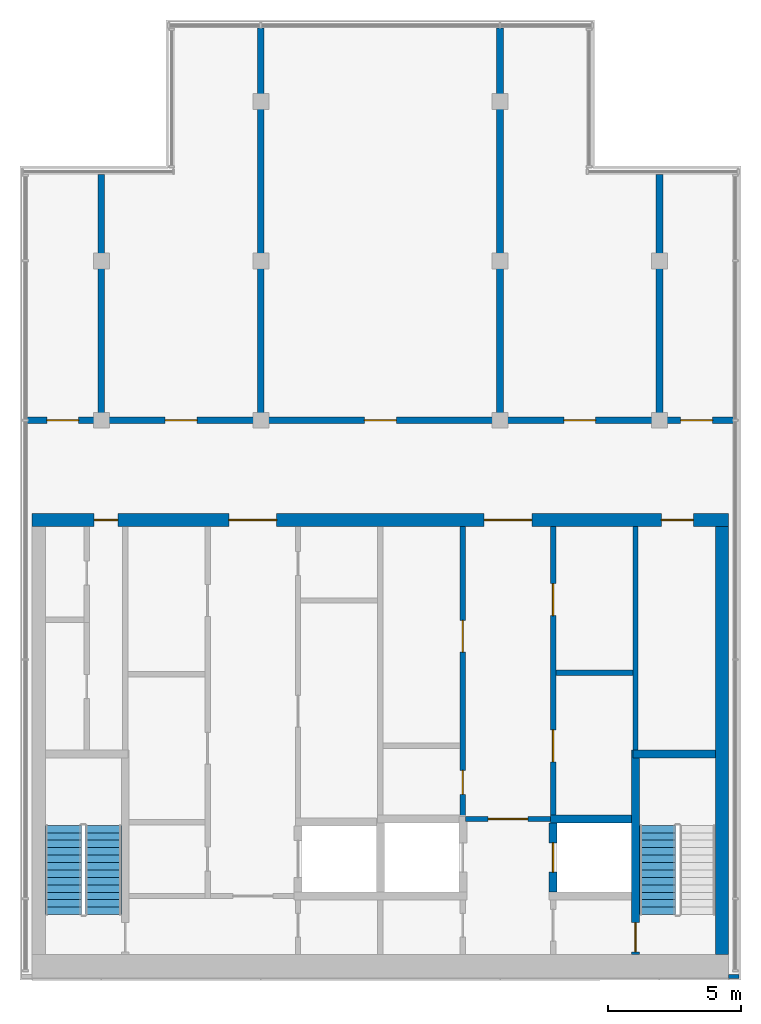
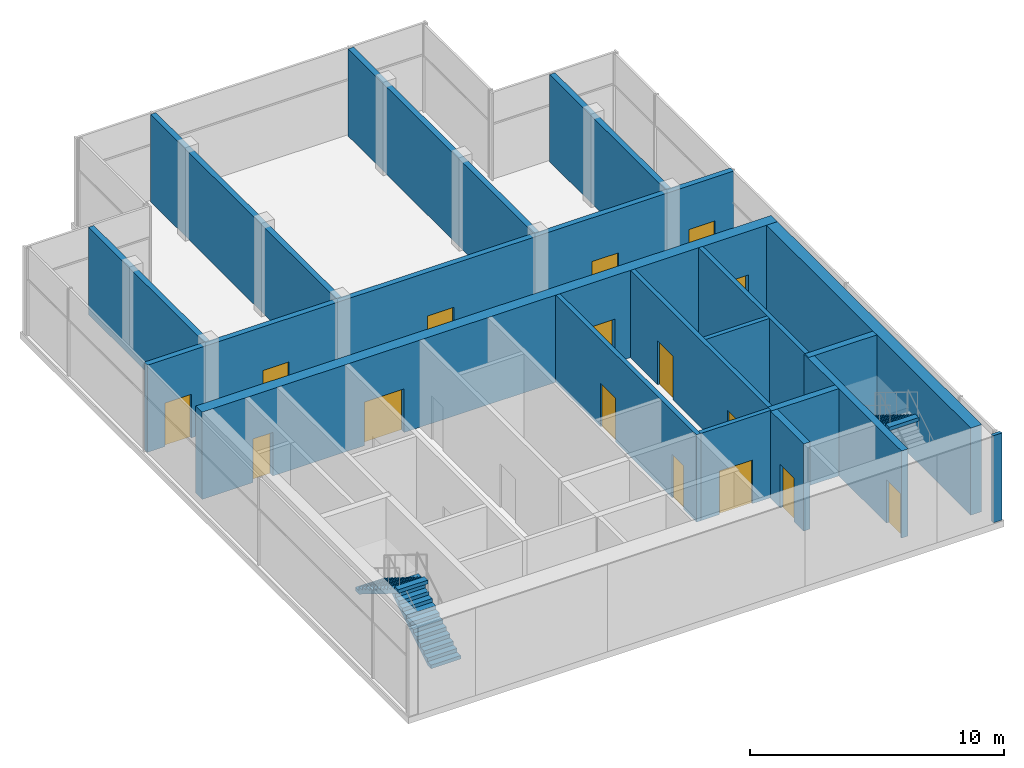
# One storey, part 3 of 5: 17 walls, 16 doors, 3 stair flights, 16 openings, 2 elements without a shape of their own.
"""IFC4 building model written with IfcOpenShell, lengths in metres."""

from ifc_helpers import new_model, si_unit, direction, frame, frame_2d, origin, place, context, subcontext, project, spatial, polyline, rectangle, outline, extrude, material, layer, layer_set, type_object, element, fill, aggregate, save


model = new_model("IFC4")

# Units and contexts
model_context = context("Model", 3, precision=1e-05, world=origin(), true_north=direction((0.0, 1.0)))
body_context = subcontext(model_context, "Body", "Model", "MODEL_VIEW")
ifc_project = project(units=[si_unit("LENGTHUNIT", "METRE"), si_unit("AREAUNIT", "SQUARE_METRE"), si_unit("VOLUMEUNIT", "CUBIC_METRE"), si_unit("PLANEANGLEUNIT", "RADIAN"), si_unit("MASSUNIT", "GRAM", prefix="KILO")], contexts=[model_context])

# Site, building, storey
site_placement = place(None, origin())
site = spatial("IfcSite", under=ifc_project, at=site_placement, CompositionType="ELEMENT")
building_placement = place(site_placement, origin())
building = spatial("IfcBuilding", under=site, at=building_placement, Name="Finial Court Residences", CompositionType="ELEMENT")
storey_placement = place(building_placement, frame((0.0, 0.0, 316.699951171875)))
storey = spatial("IfcBuildingStorey", under=building, at=storey_placement, Name="L80", CompositionType="ELEMENT", Elevation=316.699951171875)

# Wall, openings, doors
ifc_material_1 = material(Name="Concrete C50/60", Category="concrete")
ifc_layer_1 = layer(ifc_material_1, 0.5)
ifc_layer_set_1 = layer_set([ifc_layer_1], Name="Core outer wall 500 Concrete C50/60")
wall_type_1 = type_object("IfcWallType", Name="Core outer wall 500 Concrete C50/60", PredefinedType="SHEAR", material=ifc_layer_set_1)
wall_1_placement = place(storey_placement, frame((-13.10009765625, -8.25, 0.0), z_axis=(0.0, 0.0, 1.0), x_axis=(1.0, 0.0, 0.0)))
wall_1 = element("IfcWall", 1, at=wall_1_placement, inside=storey, type_object=wall_type_1, Name="Core outer wall L80-02", PredefinedType="SHEAR", context=body_context, shape_type="SweptSolid", body=[
    extrude(rectangle(XDim=26.2001953125, YDim=0.5, at=frame_2d((13.10009765625, 0.0))), origin(), (0.0, 0.0, 1.0), 4.199951171875),
])
opening_1_placement = place(wall_1_placement, frame((7.39990234375, 0.0, 0.0)))
opening_1 = element("IfcOpeningElement", 2, at=opening_1_placement, cuts=wall_1, Name="Opening L80-C03", PredefinedType="OPENING", context=body_context, shape_type="SweptSolid", body=[
    extrude(rectangle(XDim=1.800048828125, YDim=2.10009765625, at=frame_2d((0.89990234375, 1.050048828125))), frame((0.0, 0.260009765625, 0.0), z_axis=(0.0, -1.0, 0.0), x_axis=(1.0, 0.0, 0.0)), (0.0, 0.0, 1.0), 0.52001953125),
])
opening_2_placement = place(wall_1_placement, frame((17.0, 0.0, 0.0)))
opening_2 = element("IfcOpeningElement", 3, at=opening_2_placement, cuts=wall_1, Name="Opening L80-C04", PredefinedType="OPENING", context=body_context, shape_type="SweptSolid", body=[
    extrude(rectangle(XDim=1.800048828125, YDim=2.10009765625, at=frame_2d((0.89990234375, 1.050048828125))), frame((0.0, 0.260009765625, 0.0), z_axis=(0.0, -1.0, 0.0), x_axis=(1.0, 0.0, 0.0)), (0.0, 0.0, 1.0), 0.52001953125),
])
opening_3_placement = place(wall_1_placement, frame((2.324951171875, 0.0, 0.0)))
opening_3 = element("IfcOpeningElement", 4, at=opening_3_placement, cuts=wall_1, Name="Opening L80-C16", PredefinedType="OPENING", context=body_context, shape_type="SweptSolid", body=[
    extrude(rectangle(XDim=0.89990234375, YDim=2.10009765625, at=frame_2d((0.449951171875, 1.050048828125))), frame((0.0, 0.260009765625, 0.0), z_axis=(0.0, -1.0, 0.0), x_axis=(1.0, 0.0, 0.0)), (0.0, 0.0, 1.0), 0.52001953125),
])
opening_4_placement = place(wall_1_placement, frame((23.675048828125, 0.0, 0.0)))
opening_4 = element("IfcOpeningElement", 5, at=opening_4_placement, cuts=wall_1, Name="Opening L80-C17", PredefinedType="OPENING", context=body_context, shape_type="SweptSolid", body=[
    extrude(rectangle(XDim=1.199951171875, YDim=2.10009765625, at=frame_2d((0.60009765625, 1.050048828125))), frame((0.0, 0.260009765625, 0.0), z_axis=(0.0, -1.0, 0.0), x_axis=(1.0, 0.0, 0.0)), (0.0, 0.0, 1.0), 0.52001953125),
])
ifc_material_2 = material(Name="Steel fire door", Category="steel")
door_type_1 = type_object("IfcDoorType", Name="Lift lobby door 1800 x 2100 EI 60", OperationType="DOUBLE_DOOR_SINGLE_SWING", PredefinedType="DOOR", material=ifc_material_2)
door_1_placement = place(opening_1_placement, origin())
door_1 = element("IfcDoor", 6, at=door_1_placement, inside=storey, type_object=door_type_1, Name="Lift lobby door L80-C03", OperationType="DOUBLE_DOOR_SINGLE_SWING", OverallHeight=2.10009765625, OverallWidth=1.800048828125, PredefinedType="DOOR", context=body_context, shape_type="SweptSolid", body=[
    extrude(rectangle(XDim=1.800048828125, YDim=2.10009765625, at=frame_2d((0.89990234375, 1.050048828125))), frame((0.0, 0.02490234375, 0.0), z_axis=(0.0, -1.0, 0.0), x_axis=(1.0, 0.0, 0.0)), (0.0, 0.0, 1.0), 0.050048828125),
])
fill(opening_1, door_1)
door_2_placement = place(opening_2_placement, origin())
door_2 = element("IfcDoor", 7, at=door_2_placement, inside=storey, type_object=door_type_1, Name="Lift lobby door L80-C04", OperationType="DOUBLE_DOOR_SINGLE_SWING", OverallHeight=2.10009765625, OverallWidth=1.800048828125, PredefinedType="DOOR", context=body_context, shape_type="SweptSolid", body=[
    extrude(rectangle(XDim=1.800048828125, YDim=2.10009765625, at=frame_2d((0.89990234375, 1.050048828125))), frame((0.0, 0.02490234375, 0.0), z_axis=(0.0, -1.0, 0.0), x_axis=(1.0, 0.0, 0.0)), (0.0, 0.0, 1.0), 0.050048828125),
])
fill(opening_2, door_2)
door_type_2 = type_object("IfcDoorType", Name="Riser room door 1200 x 2100 EI 90", OperationType="NOTDEFINED", PredefinedType="DOOR", material=ifc_material_2)
door_3_placement = place(opening_4_placement, origin())
door_3 = element("IfcDoor", 8, at=door_3_placement, inside=storey, type_object=door_type_2, Name="Riser room door L80-C17", OperationType="SINGLE_SWING_RIGHT", OverallHeight=2.10009765625, OverallWidth=1.199951171875, PredefinedType="DOOR", context=body_context, shape_type="SweptSolid", body=[
    extrude(rectangle(XDim=1.199951171875, YDim=2.10009765625, at=frame_2d((0.60009765625, 1.050048828125))), frame((0.0, 0.02490234375, 0.0), z_axis=(0.0, -1.0, 0.0), x_axis=(1.0, 0.0, 0.0)), (0.0, 0.0, 1.0), 0.050048828125),
])
fill(opening_4, door_3)
door_type_3 = type_object("IfcDoorType", Name="Riser room door 900 x 2100 EI 90", OperationType="NOTDEFINED", PredefinedType="DOOR", material=ifc_material_2)
door_4_placement = place(opening_3_placement, origin())
door_4 = element("IfcDoor", 9, at=door_4_placement, inside=storey, type_object=door_type_3, Name="Riser room door L80-C16", OperationType="SINGLE_SWING_RIGHT", OverallHeight=2.10009765625, OverallWidth=0.89990234375, PredefinedType="DOOR", context=body_context, shape_type="SweptSolid", body=[
    extrude(rectangle(XDim=0.89990234375, YDim=2.10009765625, at=frame_2d((0.449951171875, 1.050048828125))), frame((0.0, 0.02490234375, 0.0), z_axis=(0.0, -1.0, 0.0), x_axis=(1.0, 0.0, 0.0)), (0.0, 0.0, 1.0), 0.050048828125),
])
fill(opening_3, door_4)

# Wall
wall_2_placement = place(storey_placement, frame((12.85009765625, -24.60009765625, 0.0), z_axis=(0.0, 0.0, 1.0), x_axis=(0.0, 1.0, 0.0)))
element("IfcWall", 10, at=wall_2_placement, inside=storey, type_object=wall_type_1, Name="Core outer wall L80-04", PredefinedType="SHEAR", context=body_context, shape_type="SweptSolid", body=[
    extrude(rectangle(XDim=16.10009765625, YDim=0.5, at=frame_2d((8.050048828125, 0.0))), origin(), (0.0, 0.0, 1.0), 4.199951171875),
])

# Wall, opening, door
ifc_material_3 = material(Name="Fire-rated gypsum board partition")
ifc_layer_2 = layer(ifc_material_3, 0.199951171875)
ifc_layer_set_2 = layer_set([ifc_layer_2], Name="Firefighting lobby wall 200 EI 120")
wall_type_2 = type_object("IfcWallType", Name="Firefighting lobby wall 200 EI 120", PredefinedType="PARTITIONING", material=ifc_layer_set_2)
wall_3_placement = place(storey_placement, frame((6.39990234375, -19.5, 0.0), z_axis=(0.0, 0.0, 1.0), x_axis=(-1.0, 0.0, 0.0)))
wall_3 = element("IfcWall", 11, at=wall_3_placement, inside=storey, type_object=wall_type_2, Name="Core partition L80-08", PredefinedType="PARTITIONING", context=body_context, shape_type="SweptSolid", body=[
    extrude(rectangle(XDim=3.199951171875, YDim=0.199951171875, at=frame_2d((1.60009765625, 0.0))), origin(), (0.0, 0.0, 1.0), 4.199951171875),
])
opening_5_placement = place(wall_3_placement, frame((0.85009765625, 0.0, 0.0)))
opening_5 = element("IfcOpeningElement", 12, at=opening_5_placement, cuts=wall_3, Name="Opening L80-C02", PredefinedType="OPENING", context=body_context, shape_type="SweptSolid", body=[
    extrude(rectangle(XDim=1.5, YDim=2.10009765625, at=frame_2d((0.75, 1.050048828125))), frame((0.0, 0.10986328125, 0.0), z_axis=(0.0, -1.0, 0.0), x_axis=(1.0, 0.0, 0.0)), (0.0, 0.0, 1.0), 0.219970703125),
])
door_type_4 = type_object("IfcDoorType", Name="Firefighting lobby door 1500 x 2100 EI 90", OperationType="DOUBLE_DOOR_SINGLE_SWING", PredefinedType="DOOR", material=ifc_material_2)
door_5_placement = place(opening_5_placement, origin())
door_5 = element("IfcDoor", 13, at=door_5_placement, inside=storey, type_object=door_type_4, Name="Firefighting lobby door L80-C02", OperationType="DOUBLE_DOOR_SINGLE_SWING", OverallHeight=2.10009765625, OverallWidth=1.5, PredefinedType="DOOR", context=body_context, shape_type="SweptSolid", body=[
    extrude(rectangle(XDim=1.5, YDim=2.10009765625, at=frame_2d((0.75, 1.050048828125))), frame((0.0, 0.02490234375, 0.0), z_axis=(0.0, -1.0, 0.0), x_axis=(1.0, 0.0, 0.0)), (0.0, 0.0, 1.0), 0.050048828125),
])
fill(opening_5, door_5)

# Walls
ifc_layer_3 = layer(ifc_material_1, 0.300048828125)
ifc_layer_set_3 = layer_set([ifc_layer_3], Name="Lift shaft and stair wall 300 Concrete C50/60")
wall_type_3 = type_object("IfcWallType", Name="Lift shaft and stair wall 300 Concrete C50/60", PredefinedType="SHEAR", material=ifc_layer_set_3)
wall_4_placement = place(storey_placement, frame((6.39990234375, -19.5, 0.0), z_axis=(0.0, 0.0, 1.0), x_axis=(1.0, 0.0, 0.0)))
element("IfcWall", 14, at=wall_4_placement, inside=storey, type_object=wall_type_3, Name="Core wall L80-09", PredefinedType="SHEAR", context=body_context, shape_type="SweptSolid", body=[
    extrude(rectangle(XDim=3.050048828125, YDim=0.300048828125, at=frame_2d((1.52490234375, 0.0))), origin(), (0.0, 0.0, 1.0), 4.199951171875),
])
wall_5_placement = place(storey_placement, frame((9.5, -17.050048828125, 0.0), z_axis=(0.0, 0.0, 1.0), x_axis=(1.0, 0.0, 0.0)))
element("IfcWall", 15, at=wall_5_placement, inside=storey, type_object=wall_type_3, Name="Core wall L80-11", PredefinedType="SHEAR", context=body_context, shape_type="SweptSolid", body=[
    extrude(rectangle(XDim=3.10009765625, YDim=0.300048828125, at=frame_2d((1.550048828125, 0.0))), origin(), (0.0, 0.0, 1.0), 4.199951171875),
])

# Wall, opening, door
wall_6_placement = place(storey_placement, frame((6.5, -22.25, 0.0), z_axis=(0.0, 0.0, 1.0), x_axis=(0.0, 1.0, 0.0)))
wall_6 = element("IfcWall", 16, at=wall_6_placement, inside=storey, type_object=wall_type_3, Name="Core wall L80-32", PredefinedType="SHEAR", context=body_context, shape_type="SweptSolid", body=[
    extrude(rectangle(XDim=2.60009765625, YDim=0.300048828125, at=frame_2d((1.300048828125, 0.0))), origin(), (0.0, 0.0, 1.0), 4.199951171875),
])
opening_6_placement = place(wall_6_placement, frame((0.75, 0.0, 0.0)))
opening_6 = element("IfcOpeningElement", 17, at=opening_6_placement, cuts=wall_6, Name="Opening L80-LD02", PredefinedType="OPENING", context=body_context, shape_type="SweptSolid", body=[
    extrude(rectangle(XDim=1.10009765625, YDim=2.10009765625, at=frame_2d((0.550048828125, 1.050048828125))), frame((0.0, 0.159912109375, 0.0), z_axis=(0.0, -1.0, 0.0), x_axis=(1.0, 0.0, 0.0)), (0.0, 0.0, 1.0), 0.320068359375),
])
ifc_material_4 = material(Name="Stainless steel lift door", Category="steel")
door_type_5 = type_object("IfcDoorType", Name="Lift landing door 1100 x 2100 EI 90", OperationType="DOUBLE_DOOR_SLIDING", PredefinedType="DOOR", material=ifc_material_4)
door_6_placement = place(opening_6_placement, origin())
door_6 = element("IfcDoor", 18, at=door_6_placement, inside=storey, type_object=door_type_5, Name="Lift landing door FF2 L80", OperationType="DOUBLE_DOOR_SLIDING", OverallHeight=2.10009765625, OverallWidth=1.10009765625, PredefinedType="DOOR", context=body_context, shape_type="SweptSolid", body=[
    extrude(rectangle(XDim=1.10009765625, YDim=2.10009765625, at=frame_2d((0.550048828125, 1.050048828125))), frame((0.0, 0.02490234375, 0.0), z_axis=(0.0, -1.0, 0.0), x_axis=(1.0, 0.0, 0.0)), (0.0, 0.0, 1.0), 0.050048828125),
])
fill(opening_6, door_6)

wall_7_placement = place(storey_placement, frame((9.60009765625, -16.89990234375, 0.0), z_axis=(0.0, 0.0, 1.0), x_axis=(0.0, -1.0, 0.0)))
wall_7 = element("IfcWall", 19, at=wall_7_placement, inside=storey, type_object=wall_type_3, Name="Core wall L80-34", PredefinedType="SHEAR", context=body_context, shape_type="SweptSolid", body=[
    extrude(rectangle(XDim=7.7001953125, YDim=0.300048828125, at=frame_2d((3.85009765625, 0.0))), origin(), (0.0, 0.0, 1.0), 4.199951171875),
])
opening_7_placement = place(wall_7_placement, frame((6.5, 0.0, 0.0)))
opening_7 = element("IfcOpeningElement", 20, at=opening_7_placement, cuts=wall_7, Name="Opening L80-C22", PredefinedType="OPENING", context=body_context, shape_type="SweptSolid", body=[
    extrude(rectangle(XDim=1.10009765625, YDim=2.10009765625, at=frame_2d((0.550048828125, 1.050048828125))), frame((0.0, 0.159912109375, 0.0), z_axis=(0.0, -1.0, 0.0), x_axis=(1.0, 0.0, 0.0)), (0.0, 0.0, 1.0), 0.320068359375),
])
door_type_6 = type_object("IfcDoorType", Name="Stair door 1100 x 2100 EI 90", OperationType="NOTDEFINED", PredefinedType="DOOR", material=ifc_material_2)
door_7_placement = place(opening_7_placement, origin())
door_7 = element("IfcDoor", 21, at=door_7_placement, inside=storey, type_object=door_type_6, Name="Stair door L80-C22", OperationType="SINGLE_SWING_RIGHT", OverallHeight=2.10009765625, OverallWidth=1.10009765625, PredefinedType="DOOR", context=body_context, shape_type="SweptSolid", body=[
    extrude(rectangle(XDim=1.10009765625, YDim=2.10009765625, at=frame_2d((0.550048828125, 1.050048828125))), frame((0.0, 0.02490234375, 0.0), z_axis=(0.0, -1.0, 0.0), x_axis=(1.0, 0.0, 0.0)), (0.0, 0.0, 1.0), 0.050048828125),
])
fill(opening_7, door_7)

# Wall
ifc_material_5 = material(Name="Natural limestone", Category="masonry")
ifc_layer_4 = layer(ifc_material_5, 0.14990234375)
ifc_layer_set_4 = layer_set([ifc_layer_4], Name="Limestone clad wall 150")
wall_type_4 = type_object("IfcWallType", Name="Limestone clad wall 150", PredefinedType="SOLIDWALL", material=ifc_layer_set_4)
wall_8_placement = place(storey_placement, frame((13.5, -25.425048828125, 0.0), z_axis=(0.0, 0.0, 1.0), x_axis=(-1.0, 0.0, 0.0)))
element("IfcWall", 22, at=wall_8_placement, inside=storey, type_object=wall_type_4, Name="E-L80-STUBS2", PredefinedType="SOLIDWALL", context=body_context, shape_type="SweptSolid", body=[
    extrude(rectangle(XDim=0.39990234375, YDim=0.14990234375, at=frame_2d((0.199951171875, 0.0))), origin(), (0.0, 0.0, 1.0), 4.199951171875),
])

# Wall, openings, doors
ifc_material_6 = material(Name="Fire-rated board")
ifc_layer_5 = layer(ifc_material_6, 0.050048828125)
ifc_material_7 = material(Name="Mineral wool in double frame")
ifc_layer_6 = layer(ifc_material_7, 0.14990234375)
ifc_layer_7 = layer(ifc_material_6, 0.050048828125)
ifc_layer_set_5 = layer_set([ifc_layer_5, ifc_layer_6, ifc_layer_7], Name="Plant room wall 250, 2 hour")
wall_type_5 = type_object("IfcWallType", Name="Plant room wall 250, 2 hour", PredefinedType="PARTITIONING", material=ifc_layer_set_5)
wall_9_placement = place(storey_placement, frame((-13.35009765625, -4.5, 0.0), z_axis=(0.0, 0.0, 1.0), x_axis=(1.0, 0.0, 0.0)))
wall_9 = element("IfcWall", 23, at=wall_9_placement, inside=storey, type_object=wall_type_5, Name="Partition L80-000", PredefinedType="PARTITIONING", context=body_context, shape_type="SweptSolid", body=[
    extrude(rectangle(XDim=26.7001953125, YDim=0.25, at=frame_2d((13.35009765625, 0.0))), origin(), (0.0, 0.0, 1.0), 4.199951171875),
])
opening_8_placement = place(wall_9_placement, frame((0.800048828125, 0.0, 0.0)))
opening_8 = element("IfcOpeningElement", 24, at=opening_8_placement, cuts=wall_9, Name="Opening L80-D001", PredefinedType="OPENING", context=body_context, shape_type="SweptSolid", body=[
    extrude(rectangle(XDim=1.199951171875, YDim=2.10009765625, at=frame_2d((0.60009765625, 1.050048828125))), frame((0.0, 0.135009765625, 0.0), z_axis=(0.0, -1.0, 0.0), x_axis=(1.0, 0.0, 0.0)), (0.0, 0.0, 1.0), 0.27001953125),
])
opening_9_placement = place(wall_9_placement, frame((5.25, 0.0, 0.0)))
opening_9 = element("IfcOpeningElement", 25, at=opening_9_placement, cuts=wall_9, Name="Opening L80-D002", PredefinedType="OPENING", context=body_context, shape_type="SweptSolid", body=[
    extrude(rectangle(XDim=1.199951171875, YDim=2.10009765625, at=frame_2d((0.60009765625, 1.050048828125))), frame((0.0, 0.135009765625, 0.0), z_axis=(0.0, -1.0, 0.0), x_axis=(1.0, 0.0, 0.0)), (0.0, 0.0, 1.0), 0.27001953125),
])
opening_10_placement = place(wall_9_placement, frame((12.75, 0.0, 0.0)))
opening_10 = element("IfcOpeningElement", 26, at=opening_10_placement, cuts=wall_9, Name="Opening L80-D003", PredefinedType="OPENING", context=body_context, shape_type="SweptSolid", body=[
    extrude(rectangle(XDim=1.199951171875, YDim=2.10009765625, at=frame_2d((0.60009765625, 1.050048828125))), frame((0.0, 0.135009765625, 0.0), z_axis=(0.0, -1.0, 0.0), x_axis=(1.0, 0.0, 0.0)), (0.0, 0.0, 1.0), 0.27001953125),
])
opening_11_placement = place(wall_9_placement, frame((20.25, 0.0, 0.0)))
opening_11 = element("IfcOpeningElement", 27, at=opening_11_placement, cuts=wall_9, Name="Opening L80-D004", PredefinedType="OPENING", context=body_context, shape_type="SweptSolid", body=[
    extrude(rectangle(XDim=1.199951171875, YDim=2.10009765625, at=frame_2d((0.60009765625, 1.050048828125))), frame((0.0, 0.135009765625, 0.0), z_axis=(0.0, -1.0, 0.0), x_axis=(1.0, 0.0, 0.0)), (0.0, 0.0, 1.0), 0.27001953125),
])
opening_12_placement = place(wall_9_placement, frame((24.64990234375, 0.0, 0.0)))
opening_12 = element("IfcOpeningElement", 28, at=opening_12_placement, cuts=wall_9, Name="Opening L80-D005", PredefinedType="OPENING", context=body_context, shape_type="SweptSolid", body=[
    extrude(rectangle(XDim=1.199951171875, YDim=2.10009765625, at=frame_2d((0.60009765625, 1.050048828125))), frame((0.0, 0.135009765625, 0.0), z_axis=(0.0, -1.0, 0.0), x_axis=(1.0, 0.0, 0.0)), (0.0, 0.0, 1.0), 0.27001953125),
])
ifc_material_8 = material(Name="Timber door leaf in hollow metal frame", Category="wood")
door_type_7 = type_object("IfcDoorType", Name="Fire door set 1200 x 2100, 60 minutes", OperationType="SINGLE_SWING_LEFT", PredefinedType="DOOR", material=ifc_material_8)
door_8_placement = place(opening_8_placement, origin())
door_8 = element("IfcDoor", 29, at=door_8_placement, inside=storey, type_object=door_type_7, Name="Door L80-D001", OperationType="SINGLE_SWING_RIGHT", OverallHeight=2.10009765625, OverallWidth=1.199951171875, PredefinedType="DOOR", context=body_context, shape_type="SweptSolid", body=[
    extrude(rectangle(XDim=1.199951171875, YDim=2.10009765625, at=frame_2d((0.60009765625, 1.050048828125))), frame((0.0, 0.02490234375, 0.0), z_axis=(0.0, -1.0, 0.0), x_axis=(1.0, 0.0, 0.0)), (0.0, 0.0, 1.0), 0.050048828125),
])
fill(opening_8, door_8)
door_9_placement = place(opening_9_placement, origin())
door_9 = element("IfcDoor", 30, at=door_9_placement, inside=storey, type_object=door_type_7, Name="Door L80-D002", OperationType="SINGLE_SWING_RIGHT", OverallHeight=2.10009765625, OverallWidth=1.199951171875, PredefinedType="DOOR", context=body_context, shape_type="SweptSolid", body=[
    extrude(rectangle(XDim=1.199951171875, YDim=2.10009765625, at=frame_2d((0.60009765625, 1.050048828125))), frame((0.0, 0.02490234375, 0.0), z_axis=(0.0, -1.0, 0.0), x_axis=(1.0, 0.0, 0.0)), (0.0, 0.0, 1.0), 0.050048828125),
])
fill(opening_9, door_9)
door_10_placement = place(opening_10_placement, origin())
door_10 = element("IfcDoor", 31, at=door_10_placement, inside=storey, type_object=door_type_7, Name="Door L80-D003", OperationType="SINGLE_SWING_RIGHT", OverallHeight=2.10009765625, OverallWidth=1.199951171875, PredefinedType="DOOR", context=body_context, shape_type="SweptSolid", body=[
    extrude(rectangle(XDim=1.199951171875, YDim=2.10009765625, at=frame_2d((0.60009765625, 1.050048828125))), frame((0.0, 0.02490234375, 0.0), z_axis=(0.0, -1.0, 0.0), x_axis=(1.0, 0.0, 0.0)), (0.0, 0.0, 1.0), 0.050048828125),
])
fill(opening_10, door_10)
door_11_placement = place(opening_11_placement, origin())
door_11 = element("IfcDoor", 32, at=door_11_placement, inside=storey, type_object=door_type_7, Name="Door L80-D004", OperationType="SINGLE_SWING_LEFT", OverallHeight=2.10009765625, OverallWidth=1.199951171875, PredefinedType="DOOR", context=body_context, shape_type="SweptSolid", body=[
    extrude(rectangle(XDim=1.199951171875, YDim=2.10009765625, at=frame_2d((0.60009765625, 1.050048828125))), frame((0.0, 0.02490234375, 0.0), z_axis=(0.0, -1.0, 0.0), x_axis=(1.0, 0.0, 0.0)), (0.0, 0.0, 1.0), 0.050048828125),
])
fill(opening_11, door_11)
door_12_placement = place(opening_12_placement, origin())
door_12 = element("IfcDoor", 33, at=door_12_placement, inside=storey, type_object=door_type_7, Name="Door L80-D005", OperationType="SINGLE_SWING_LEFT", OverallHeight=2.10009765625, OverallWidth=1.199951171875, PredefinedType="DOOR", context=body_context, shape_type="SweptSolid", body=[
    extrude(rectangle(XDim=1.199951171875, YDim=2.10009765625, at=frame_2d((0.60009765625, 1.050048828125))), frame((0.0, 0.02490234375, 0.0), z_axis=(0.0, -1.0, 0.0), x_axis=(1.0, 0.0, 0.0)), (0.0, 0.0, 1.0), 0.050048828125),
])
fill(opening_12, door_12)

# Walls
wall_10_placement = place(storey_placement, frame((-10.5, -4.375, 0.0), z_axis=(0.0, 0.0, 1.0), x_axis=(0.0, 1.0, 0.0)))
element("IfcWall", 34, at=wall_10_placement, inside=storey, type_object=wall_type_5, Name="Partition L80-001", PredefinedType="PARTITIONING", context=body_context, shape_type="SweptSolid", body=[
    extrude(rectangle(XDim=9.125, YDim=0.25, at=frame_2d((4.5625, 0.0))), origin(), (0.0, 0.0, 1.0), 4.199951171875),
])
for number, where, z_axis, x_axis, name in (
    (35, (-4.5, -4.375, 0.0), (0.0, 0.0, 1.0), (0.0, 1.0, 0.0), "Partition L80-002"),
    (36, (4.5, -4.375, 0.0), (0.0, 0.0, 1.0), (0.0, 1.0, 0.0), "Partition L80-003"),
):
    element("IfcWall", number, at=place(storey_placement, frame(where, z_axis=z_axis, x_axis=x_axis)), inside=storey, type_object=wall_type_5, Name=name, PredefinedType="PARTITIONING", context=body_context, shape_type="SweptSolid", body=[
        extrude(rectangle(XDim=14.625, YDim=0.25, at=frame_2d((7.3125, 0.0))), origin(), (0.0, 0.0, 1.0), 4.199951171875),
    ])
wall_11_placement = place(storey_placement, frame((10.5, -4.375, 0.0), z_axis=(0.0, 0.0, 1.0), x_axis=(0.0, 1.0, 0.0)))
element("IfcWall", 37, at=wall_11_placement, inside=storey, type_object=wall_type_5, Name="Partition L80-004", PredefinedType="PARTITIONING", context=body_context, shape_type="SweptSolid", body=[
    extrude(rectangle(XDim=9.125, YDim=0.25, at=frame_2d((4.5625, 0.0))), origin(), (0.0, 0.0, 1.0), 4.199951171875),
])
ifc_layer_8 = layer(ifc_material_3, 0.199951171875)
ifc_layer_set_6 = layer_set([ifc_layer_8], Name="Riser room wall 200 EI 120")
wall_type_6 = type_object("IfcWallType", Name="Riser room wall 200 EI 120", PredefinedType="PARTITIONING", material=ifc_layer_set_6)
wall_12_placement = place(storey_placement, frame((6.60009765625, -14.0, 0.0), z_axis=(0.0, 0.0, 1.0), x_axis=(1.0, 0.0, 0.0)))
element("IfcWall", 38, at=wall_12_placement, inside=storey, type_object=wall_type_6, Name="Core partition L80-14", PredefinedType="PARTITIONING", context=body_context, shape_type="SweptSolid", body=[
    extrude(rectangle(XDim=2.89990234375, YDim=0.199951171875, at=frame_2d((1.449951171875, 0.0))), origin(), (0.0, 0.0, 1.0), 4.199951171875),
])

# Wall, openings, doors
wall_13_placement = place(storey_placement, frame((3.10009765625, -19.60009765625, 0.0), z_axis=(0.0, 0.0, 1.0), x_axis=(0.0, 1.0, 0.0)))
wall_13 = element("IfcWall", 39, at=wall_13_placement, inside=storey, type_object=wall_type_6, Name="Core partition L80-30", PredefinedType="PARTITIONING", context=body_context, shape_type="SweptSolid", body=[
    extrude(rectangle(XDim=11.10009765625, YDim=0.199951171875, at=frame_2d((5.550048828125, 0.0))), origin(), (0.0, 0.0, 1.0), 4.199951171875),
])
opening_13_placement = place(wall_13_placement, frame((1.02490234375, 0.0, 0.0)))
opening_13 = element("IfcOpeningElement", 40, at=opening_13_placement, cuts=wall_13, Name="Opening L80-C12", PredefinedType="OPENING", context=body_context, shape_type="SweptSolid", body=[
    extrude(rectangle(XDim=0.89990234375, YDim=2.10009765625, at=frame_2d((0.449951171875, 1.050048828125))), frame((0.0, 0.10986328125, 0.0), z_axis=(0.0, -1.0, 0.0), x_axis=(1.0, 0.0, 0.0)), (0.0, 0.0, 1.0), 0.219970703125),
])
opening_14_placement = place(wall_13_placement, frame((6.375, 0.0, 0.0)))
opening_14 = element("IfcOpeningElement", 41, at=opening_14_placement, cuts=wall_13, Name="Opening L80-C13", PredefinedType="OPENING", context=body_context, shape_type="SweptSolid", body=[
    extrude(rectangle(XDim=1.199951171875, YDim=2.10009765625, at=frame_2d((0.60009765625, 1.050048828125))), frame((0.0, 0.10986328125, 0.0), z_axis=(0.0, -1.0, 0.0), x_axis=(1.0, 0.0, 0.0)), (0.0, 0.0, 1.0), 0.219970703125),
])
door_13_placement = place(opening_14_placement, origin())
door_13 = element("IfcDoor", 42, at=door_13_placement, inside=storey, type_object=door_type_2, Name="Riser room door L80-C13", OperationType="SINGLE_SWING_LEFT", OverallHeight=2.10009765625, OverallWidth=1.199951171875, PredefinedType="DOOR", context=body_context, shape_type="SweptSolid", body=[
    extrude(rectangle(XDim=1.199951171875, YDim=2.10009765625, at=frame_2d((0.60009765625, 1.050048828125))), frame((0.0, 0.02490234375, 0.0), z_axis=(0.0, -1.0, 0.0), x_axis=(1.0, 0.0, 0.0)), (0.0, 0.0, 1.0), 0.050048828125),
])
fill(opening_14, door_13)
door_14_placement = place(opening_13_placement, origin())
door_14 = element("IfcDoor", 43, at=door_14_placement, inside=storey, type_object=door_type_3, Name="Riser room door L80-C12", OperationType="SINGLE_SWING_LEFT", OverallHeight=2.10009765625, OverallWidth=0.89990234375, PredefinedType="DOOR", context=body_context, shape_type="SweptSolid", body=[
    extrude(rectangle(XDim=0.89990234375, YDim=2.10009765625, at=frame_2d((0.449951171875, 1.050048828125))), frame((0.0, 0.02490234375, 0.0), z_axis=(0.0, -1.0, 0.0), x_axis=(1.0, 0.0, 0.0)), (0.0, 0.0, 1.0), 0.050048828125),
])
fill(opening_13, door_14)

wall_14_placement = place(storey_placement, frame((6.5, -8.5, 0.0), z_axis=(0.0, 0.0, 1.0), x_axis=(0.0, -1.0, 0.0)))
wall_14 = element("IfcWall", 44, at=wall_14_placement, inside=storey, type_object=wall_type_6, Name="Core partition L80-33", PredefinedType="PARTITIONING", context=body_context, shape_type="SweptSolid", body=[
    extrude(rectangle(XDim=10.85009765625, YDim=0.199951171875, at=frame_2d((5.425048828125, 0.0))), origin(), (0.0, 0.0, 1.0), 4.199951171875),
])
opening_15_placement = place(wall_14_placement, frame((7.64990234375, 0.0, 0.0)))
opening_15 = element("IfcOpeningElement", 45, at=opening_15_placement, cuts=wall_14, Name="Opening L80-C14", PredefinedType="OPENING", context=body_context, shape_type="SweptSolid", body=[
    extrude(rectangle(XDim=1.199951171875, YDim=2.10009765625, at=frame_2d((0.60009765625, 1.050048828125))), frame((0.0, 0.10986328125, 0.0), z_axis=(0.0, -1.0, 0.0), x_axis=(1.0, 0.0, 0.0)), (0.0, 0.0, 1.0), 0.219970703125),
])
opening_16_placement = place(wall_14_placement, frame((2.14990234375, 0.0, 0.0)))
opening_16 = element("IfcOpeningElement", 46, at=opening_16_placement, cuts=wall_14, Name="Opening L80-C15", PredefinedType="OPENING", context=body_context, shape_type="SweptSolid", body=[
    extrude(rectangle(XDim=1.199951171875, YDim=2.10009765625, at=frame_2d((0.60009765625, 1.050048828125))), frame((0.0, 0.10986328125, 0.0), z_axis=(0.0, -1.0, 0.0), x_axis=(1.0, 0.0, 0.0)), (0.0, 0.0, 1.0), 0.219970703125),
])
door_15_placement = place(opening_15_placement, origin())
door_15 = element("IfcDoor", 47, at=door_15_placement, inside=storey, type_object=door_type_2, Name="Riser room door L80-C14", OperationType="SINGLE_SWING_RIGHT", OverallHeight=2.10009765625, OverallWidth=1.199951171875, PredefinedType="DOOR", context=body_context, shape_type="SweptSolid", body=[
    extrude(rectangle(XDim=1.199951171875, YDim=2.10009765625, at=frame_2d((0.60009765625, 1.050048828125))), frame((0.0, 0.02490234375, 0.0), z_axis=(0.0, -1.0, 0.0), x_axis=(1.0, 0.0, 0.0)), (0.0, 0.0, 1.0), 0.050048828125),
])
fill(opening_15, door_15)
door_16_placement = place(opening_16_placement, origin())
door_16 = element("IfcDoor", 48, at=door_16_placement, inside=storey, type_object=door_type_2, Name="Riser room door L80-C15", OperationType="SINGLE_SWING_RIGHT", OverallHeight=2.10009765625, OverallWidth=1.199951171875, PredefinedType="DOOR", context=body_context, shape_type="SweptSolid", body=[
    extrude(rectangle(XDim=1.199951171875, YDim=2.10009765625, at=frame_2d((0.60009765625, 1.050048828125))), frame((0.0, 0.02490234375, 0.0), z_axis=(0.0, -1.0, 0.0), x_axis=(1.0, 0.0, 0.0)), (0.0, 0.0, 1.0), 0.050048828125),
])
fill(opening_16, door_16)

# Wall
wall_15_placement = place(storey_placement, frame((9.60009765625, -16.89990234375, 0.0), z_axis=(0.0, 0.0, 1.0), x_axis=(0.0, 1.0, 0.0)))
element("IfcWall", 49, at=wall_15_placement, inside=storey, type_object=wall_type_6, Name="Core partition L80-35", PredefinedType="PARTITIONING", context=body_context, shape_type="SweptSolid", body=[
    extrude(rectangle(XDim=8.39990234375, YDim=0.199951171875, at=frame_2d((4.199951171875, 0.0))), origin(), (0.0, 0.0, 1.0), 4.199951171875),
])

# Stair, stair flights
stair_type = type_object("IfcStairType", Name="Exit stair 26 risers of 173.1 mm", PredefinedType="HALF_TURN_STAIR", material=ifc_material_1)
stair_1_placement = place(storey_placement, origin())
stair_1 = element("IfcStair", 50, at=stair_1_placement, inside=storey, type_object=stair_type, Name="L80 Exit stair ST-1", PredefinedType="HALF_TURN_STAIR")
stair_flight_type = type_object("IfcStairFlightType", Name="Exit stair flight", PredefinedType="STRAIGHT", material=ifc_material_1)
stair_flight_1_placement = place(storey_placement, frame((-10.425048828125, -23.10009765625, 0.0), z_axis=(0.0, 0.0, 1.0), x_axis=(0.0, 1.0, 0.0)))
stair_flight_1 = element("IfcStairFlight", 51, at=stair_flight_1_placement, type_object=stair_flight_type, Name="ST-1 flight 1", NumberOfRisers=13, NumberOfTreads=12, PredefinedType="STRAIGHT", RiserHeight=0.173076923, TreadLength=0.28, context=body_context, shape_type="SweptSolid", body=[
    extrude(outline(polyline([(0.0, 0.0), (0.0, 0.173095703125), (0.280029296875, 0.173095703125), (0.280029296875, 0.34619140625), (0.56005859375, 0.34619140625), (0.56005859375, 0.519287109375), (0.840087890625, 0.519287109375), (0.840087890625, 0.6923828125), (1.1201171875, 0.6923828125), (1.1201171875, 0.865478515625), (1.39990234375, 0.865478515625), (1.39990234375, 1.03857421875), (1.679931640625, 1.03857421875), (1.679931640625, 1.21142578125), (1.9599609375, 1.21142578125), (1.9599609375, 1.384521484375), (2.239990234375, 1.384521484375), (2.239990234375, 1.5576171875), (2.52001953125, 1.5576171875), (2.52001953125, 1.730712890625), (2.800048828125, 1.730712890625), (2.800048828125, 1.90380859375), (3.080078125, 1.90380859375), (3.080078125, 2.076904296875), (3.360107421875, 2.076904296875), (3.360107421875, 2.25), (3.360107421875, 1.900634765625), (0.28515625, 0.0), (0.0, 0.0)])), frame((0.0, 0.675048828125, 0.0), z_axis=(0.0, -1.0, 0.0), x_axis=(1.0, 0.0, 0.0)), (0.0, 0.0, 1.0), 1.35009765625),
])
stair_flight_2_placement = place(storey_placement, frame((-11.925048828125, -19.739990234375, 2.25), z_axis=(0.0, 0.0, 1.0), x_axis=(0.0, -1.0, 0.0)))
stair_flight_2 = element("IfcStairFlight", 52, at=stair_flight_2_placement, type_object=stair_flight_type, Name="ST-1 flight 2", NumberOfRisers=13, NumberOfTreads=12, PredefinedType="STRAIGHT", RiserHeight=0.173076923, TreadLength=0.28, context=body_context, shape_type="SweptSolid", body=[
    extrude(outline(polyline([(0.0, 0.0), (0.0, 0.173095703125), (0.280029296875, 0.173095703125), (0.280029296875, 0.34619140625), (0.56005859375, 0.34619140625), (0.56005859375, 0.519287109375), (0.840087890625, 0.519287109375), (0.840087890625, 0.6923828125), (1.1201171875, 0.6923828125), (1.1201171875, 0.865478515625), (1.39990234375, 0.865478515625), (1.39990234375, 1.03857421875), (1.679931640625, 1.03857421875), (1.679931640625, 1.21142578125), (1.9599609375, 1.21142578125), (1.9599609375, 1.384521484375), (2.239990234375, 1.384521484375), (2.239990234375, 1.5576171875), (2.52001953125, 1.5576171875), (2.52001953125, 1.730712890625), (2.800048828125, 1.730712890625), (2.800048828125, 1.90380859375), (3.080078125, 1.90380859375), (3.080078125, 2.076904296875), (3.360107421875, 2.076904296875), (3.360107421875, 2.25), (3.360107421875, 1.900634765625), (0.28515625, 0.0), (0.0, 0.0)])), frame((0.0, 0.675048828125, 0.0), z_axis=(0.0, -1.0, 0.0), x_axis=(1.0, 0.0, 0.0)), (0.0, 0.0, 1.0), 1.35009765625),
])
aggregate(stair_1, [stair_flight_1, stair_flight_2])

# Stair, stair flight
stair_2_placement = place(storey_placement, origin())
stair_2 = element("IfcStair", 53, at=stair_2_placement, inside=storey, type_object=stair_type, Name="L80 Exit stair ST-2", PredefinedType="HALF_TURN_STAIR")
stair_flight_3_placement = place(storey_placement, frame((10.425048828125, -19.739990234375, 2.25), z_axis=(0.0, 0.0, 1.0), x_axis=(0.0, -1.0, 0.0)))
stair_flight_3 = element("IfcStairFlight", 54, at=stair_flight_3_placement, type_object=stair_flight_type, Name="ST-2 flight 2", NumberOfRisers=13, NumberOfTreads=12, PredefinedType="STRAIGHT", RiserHeight=0.173076923, TreadLength=0.28, context=body_context, shape_type="SweptSolid", body=[
    extrude(outline(polyline([(0.0, 0.0), (0.0, 0.173095703125), (0.280029296875, 0.173095703125), (0.280029296875, 0.34619140625), (0.56005859375, 0.34619140625), (0.56005859375, 0.519287109375), (0.840087890625, 0.519287109375), (0.840087890625, 0.6923828125), (1.1201171875, 0.6923828125), (1.1201171875, 0.865478515625), (1.39990234375, 0.865478515625), (1.39990234375, 1.03857421875), (1.679931640625, 1.03857421875), (1.679931640625, 1.21142578125), (1.9599609375, 1.21142578125), (1.9599609375, 1.384521484375), (2.239990234375, 1.384521484375), (2.239990234375, 1.5576171875), (2.52001953125, 1.5576171875), (2.52001953125, 1.730712890625), (2.800048828125, 1.730712890625), (2.800048828125, 1.90380859375), (3.080078125, 1.90380859375), (3.080078125, 2.076904296875), (3.360107421875, 2.076904296875), (3.360107421875, 2.25), (3.360107421875, 1.900634765625), (0.28515625, 0.0), (0.0, 0.0)])), frame((0.0, 0.675048828125, 0.0), z_axis=(0.0, -1.0, 0.0), x_axis=(1.0, 0.0, 0.0)), (0.0, 0.0, 1.0), 1.35009765625),
])
aggregate(stair_2, [stair_flight_3])

save(model, "model.ifc")
